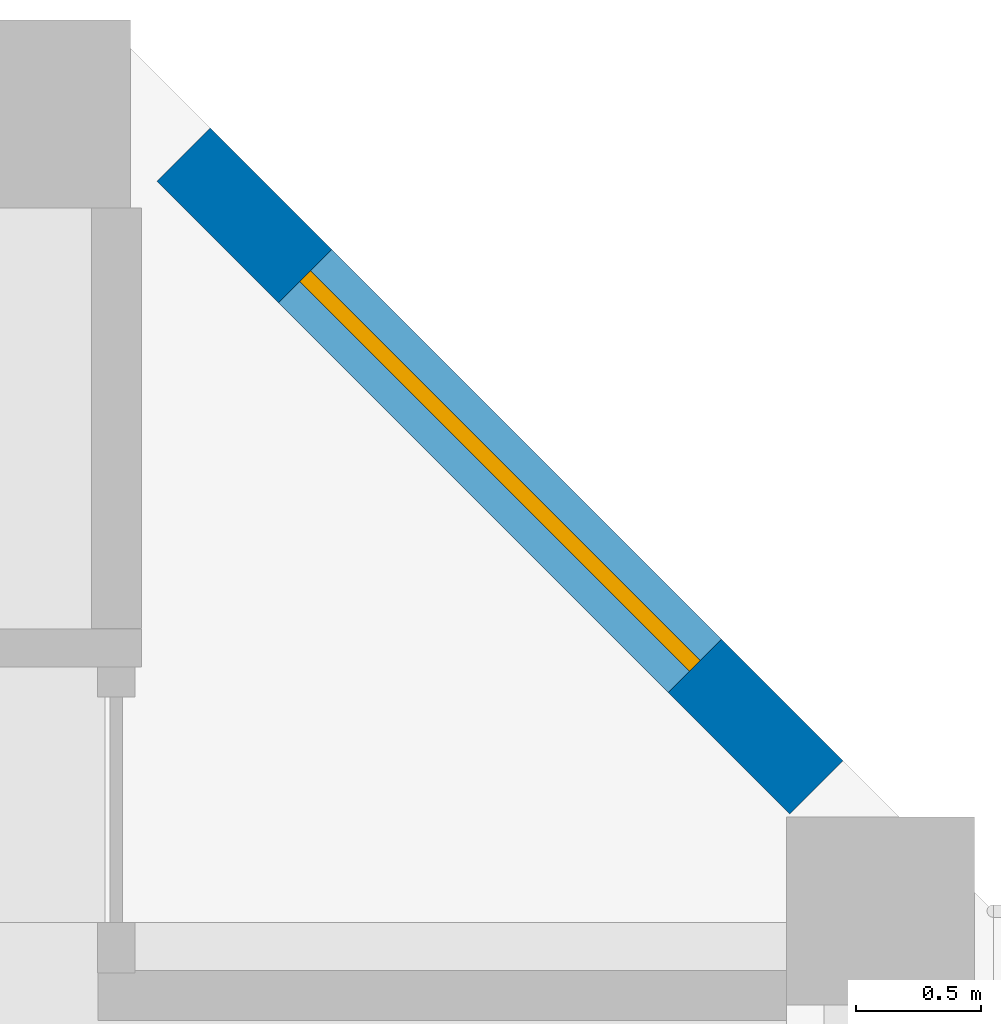
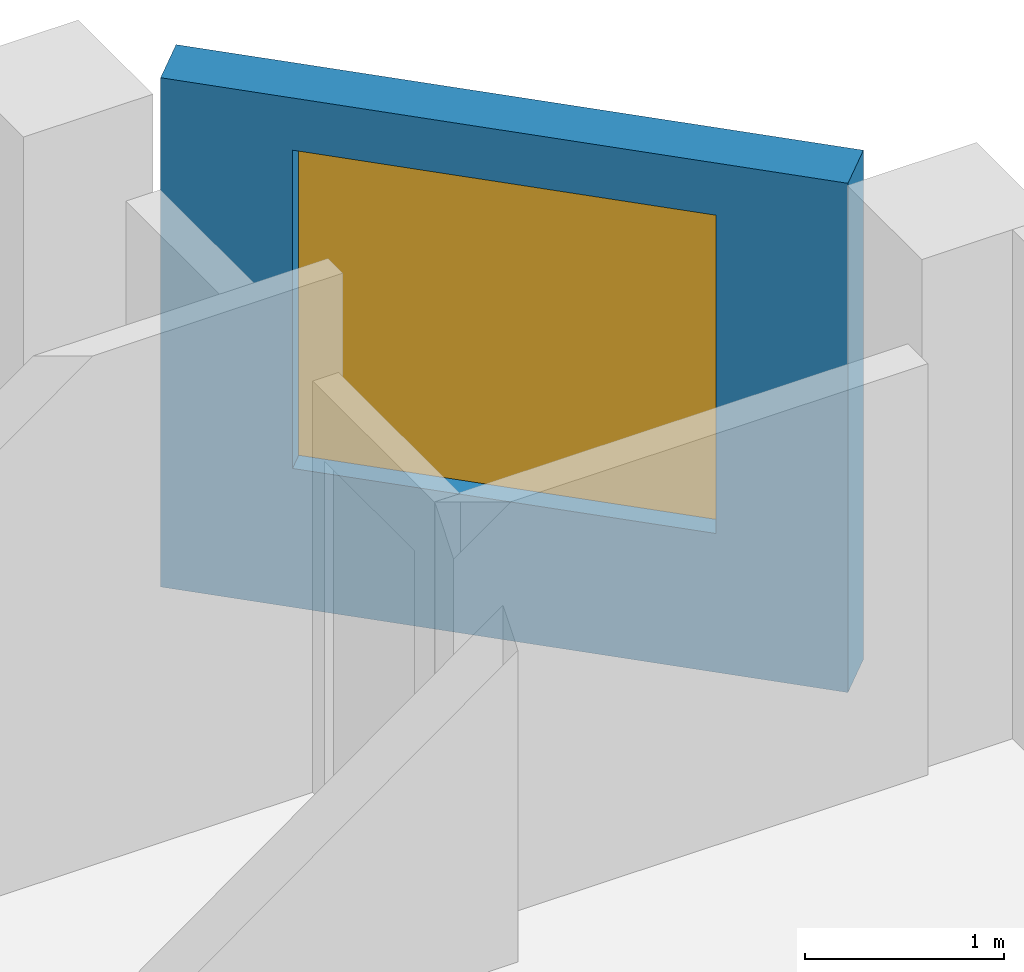
# One storey, part 10 of 21: 1 wall, 1 window, 1 opening.
"""IFC4 building model written with IfcOpenShell, lengths in metres."""

from ifc_helpers import new_model, si_unit, direction, frame, frame_2d, origin, place, context, subcontext, project, spatial, rectangle, extrude, source, transform, mapped, material, layer, layer_set, type_object, element, fill, save


model = new_model("IFC4")

# Units and contexts
model_context = context("Model", 3, precision=1e-05, world=origin(), true_north=direction((0.0, 1.0)))
body_context = subcontext(model_context, "Body", "Model", "MODEL_VIEW")
ifc_project = project(units=[si_unit("LENGTHUNIT", "METRE"), si_unit("AREAUNIT", "SQUARE_METRE"), si_unit("VOLUMEUNIT", "CUBIC_METRE"), si_unit("PLANEANGLEUNIT", "RADIAN"), si_unit("MASSUNIT", "GRAM", prefix="KILO")], contexts=[model_context])

# Site, building, storey
site_placement = place(None, origin())
site = spatial("IfcSite", under=ifc_project, at=site_placement, CompositionType="ELEMENT")
building_placement = place(site_placement, origin())
building = spatial("IfcBuilding", under=site, at=building_placement, Name="Kilnfold Tower and Market Hall", CompositionType="ELEMENT")
storey_placement = place(building_placement, frame((0.0, 0.0, 210.10009765625)))
storey = spatial("IfcBuildingStorey", under=building, at=storey_placement, Name="L51", CompositionType="ELEMENT", Elevation=210.10009765625)

# Wall, opening, window
ifc_material_1 = material(Name="Precast concrete C50/60", Category="concrete")
ifc_layer = layer(ifc_material_1, 0.300048828125)
ifc_layer_set = layer_set([ifc_layer], Name="Precast concrete C50/60")
wall_type = type_object("IfcWallType", Name="PRECAST WALL 300", PredefinedType="SOLIDWALL", material=ifc_layer_set)
shared_shape = source(origin(), body_context, "Body", "SweptSolid", [
    extrude(rectangle(XDim=3.571044921875, YDim=0.300048828125, at=frame_2d((1.78564453125, 0.0))), origin(), (0.0, 0.0, 1.0), 3.119873046875),
])
wall_placement = place(storey_placement, frame((30.5439453125, 23.243896484375, 0.0), z_axis=(0.0, 0.0, 1.0), x_axis=(-0.707140964879, 0.707072595841, 0.0)))
wall = element("IfcWall", 1, at=wall_placement, inside=storey, type_object=wall_type, Name="External wall L51 NE", PredefinedType="SOLIDWALL", context=body_context, shape_type="MappedRepresentation", body=[
    mapped(shared_shape, transform((0.0, 0.0, 0.0))),
])
opening_placement = place(wall_placement, frame((0.685546875, 0.0, 0.85009765625)))
opening = element("IfcOpeningElement", 2, at=opening_placement, cuts=wall, Name="Opening W2", PredefinedType="OPENING", context=body_context, shape_type="SweptSolid", body=[
    extrude(rectangle(XDim=2.199951171875, YDim=1.949951171875, at=frame_2d((1.10009765625, 0.97509765625))), frame((0.0, 0.16015625, 0.0), z_axis=(0.0, -1.0, 0.0), x_axis=(1.0, 0.0, 0.0)), (0.0, 0.0, 1.0), 0.320068359375),
])
ifc_material_2 = material(Name="Aluminium frame and double glazing", Category="aluminium")
window_type = type_object("IfcWindowType", Name="WINDOW W2 2200X1950", PartitioningType="SINGLE_PANEL", PredefinedType="WINDOW", material=ifc_material_2)
window_placement = place(opening_placement, origin())
window = element("IfcWindow", 3, at=window_placement, inside=storey, type_object=window_type, Name="Window W2 L51 NE-1", OverallHeight=1.949951171875, OverallWidth=2.199951171875, PartitioningType="SINGLE_PANEL", PredefinedType="WINDOW", context=body_context, shape_type="SweptSolid", body=[
    extrude(rectangle(XDim=2.199951171875, YDim=1.949951171875, at=frame_2d((1.10009765625, 0.97509765625))), frame((0.0, 0.030029296875, 0.0), z_axis=(0.0, -1.0, 0.0), x_axis=(1.0, 0.0, 0.0)), (0.0, 0.0, 1.0), 0.06005859375),
])
fill(opening, window)

save(model, "model.ifc")
